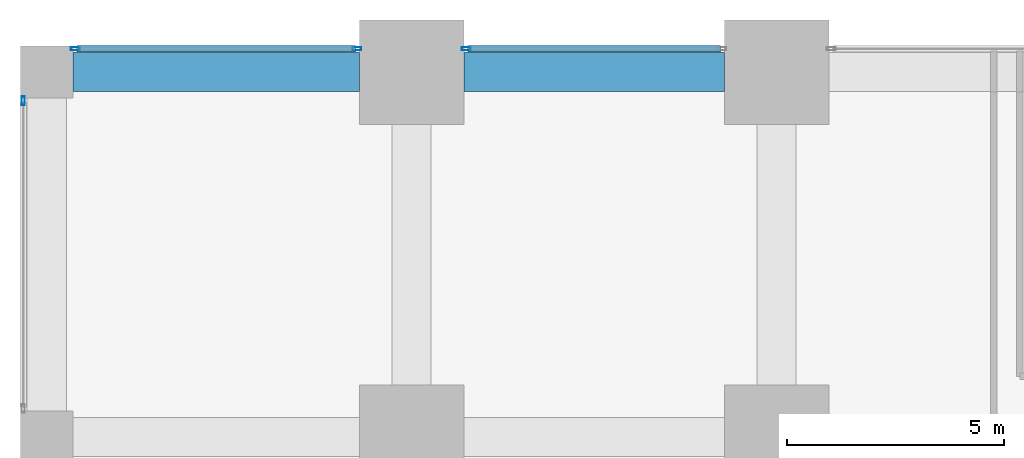
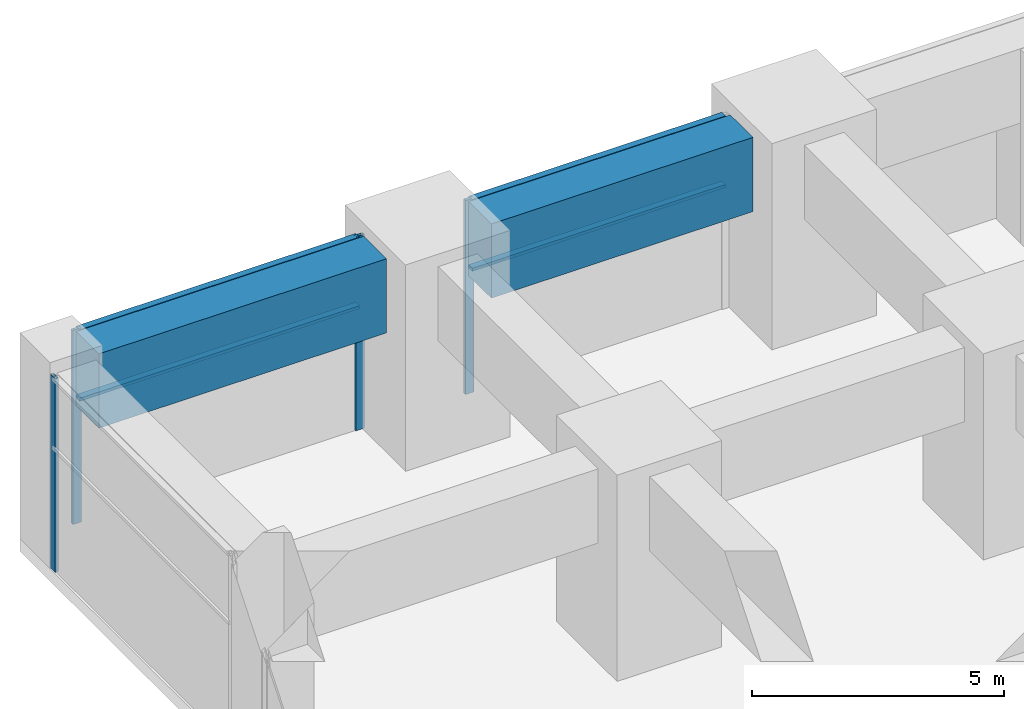
# One storey, part 23 of 49: 8 members, 2 beams, 3 elements without a shape of their own.
"""IFC4 building model written with IfcOpenShell, lengths in metres."""

from ifc_helpers import new_model, si_unit, direction, frame, origin, origin_2d, place, context, subcontext, project, spatial, rectangle, hollow_rectangle, extrude, material, material_profile, profile_set, type_object, element, aggregate, save


model = new_model("IFC4")

# Units and contexts
model_context = context("Model", 3, precision=1e-05, world=origin(), true_north=direction((0.0, 1.0)))
body_context = subcontext(model_context, "Body", "Model", "MODEL_VIEW")
ifc_project = project(units=[si_unit("LENGTHUNIT", "METRE"), si_unit("AREAUNIT", "SQUARE_METRE"), si_unit("VOLUMEUNIT", "CUBIC_METRE"), si_unit("PLANEANGLEUNIT", "RADIAN"), si_unit("MASSUNIT", "GRAM", prefix="KILO")], contexts=[model_context])

# Site, building, storey
site_placement = place(None, origin())
site = spatial("IfcSite", under=ifc_project, at=site_placement, CompositionType="ELEMENT")
building_placement = place(site_placement, origin())
building = spatial("IfcBuilding", under=site, at=building_placement, Name="Rekha Terrace Tower", CompositionType="ELEMENT")
storey_placement = place(building_placement, frame((0.0, 0.0, 10.39990234375)))
storey = spatial("IfcBuildingStorey", under=building, at=storey_placement, Name="L02", CompositionType="ELEMENT", Elevation=10.39990234375)

# Curtain wall, member
ifc_material_1 = material(Name="Aluminium framing", Category="aluminium")
curtain_wall_type = type_object("IfcCurtainWallType", Name="CW4 podium shopfront glazing", PredefinedType="USERDEFINED", material=ifc_material_1)
curtain_wall_1_placement = place(storey_placement, origin())
curtain_wall_1 = element("IfcCurtainWall", 1, at=curtain_wall_1_placement, inside=storey, type_object=curtain_wall_type, Name="CW4 shopfront curtain wall", ObjectType="SHOPFRONT CURTAIN WALL", PredefinedType="USERDEFINED")
ifc_material_2 = material(Name="Aluminium mullion section", Category="aluminium")
ifc_material_profile_1 = material_profile(ifc_material_2, hollow_rectangle(XDim=0.074951171875, YDim=0.199951171875, WallThickness=0.00390625, at=origin_2d()), Name="AL RHS 75x200")
ifc_profile_set_1 = profile_set([ifc_material_profile_1], Name="Aluminium mullion section")
member_type_1 = type_object("IfcMemberType", Name="CW4 mullion RHS 75 x 200", PredefinedType="MULLION", material=ifc_profile_set_1)
member_1_placement = place(storey_placement, frame((9.657470703125, 59.340087890625, 0.0), z_axis=(0.0, 0.0, 1.0), x_axis=(0.0, -1.0, 0.0)))
member_1 = element("IfcMember", 2, at=member_1_placement, type_object=member_type_1, Name="CW4 mullion 2", PredefinedType="MULLION", context=body_context, shape_type="SweptSolid", body=[
    extrude(hollow_rectangle(XDim=0.074951171875, YDim=0.199951171875, WallThickness=0.00390625, at=origin_2d()), origin(), (0.0, 0.0, 1.0), 4.7001953125),
])

# Curtain wall, members
curtain_wall_2_placement = place(storey_placement, origin())
curtain_wall_2 = element("IfcCurtainWall", 3, at=curtain_wall_2_placement, inside=storey, type_object=curtain_wall_type, Name="CW4 shopfront curtain wall", ObjectType="SHOPFRONT CURTAIN WALL", PredefinedType="USERDEFINED")
member_2_placement = place(storey_placement, frame((7.142578125, 59.340087890625, 0.0), z_axis=(0.0, 0.0, 1.0), x_axis=(0.0, -1.0, 0.0)))
member_2 = element("IfcMember", 4, at=member_2_placement, type_object=member_type_1, Name="CW4 mullion 1", PredefinedType="MULLION", context=body_context, shape_type="SweptSolid", body=[
    extrude(hollow_rectangle(XDim=0.074951171875, YDim=0.199951171875, WallThickness=0.00390625, at=origin_2d()), origin(), (0.0, 0.0, 1.0), 4.7001953125),
])
member_3_placement = place(storey_placement, frame((0.657470703125, 59.340087890625, 0.0), z_axis=(0.0, 0.0, 1.0), x_axis=(0.0, -1.0, 0.0)))
member_3 = element("IfcMember", 5, at=member_3_placement, type_object=member_type_1, Name="CW4 mullion 2", PredefinedType="MULLION", context=body_context, shape_type="SweptSolid", body=[
    extrude(hollow_rectangle(XDim=0.074951171875, YDim=0.199951171875, WallThickness=0.00390625, at=origin_2d()), origin(), (0.0, 0.0, 1.0), 4.7001953125),
])

# Curtain wall, member
curtain_wall_3_placement = place(storey_placement, origin())
curtain_wall_3 = element("IfcCurtainWall", 6, at=curtain_wall_3_placement, inside=storey, type_object=curtain_wall_type, Name="CW4 shopfront curtain wall", ObjectType="SHOPFRONT CURTAIN WALL", PredefinedType="USERDEFINED")
member_4_placement = place(storey_placement, frame((-0.5400390625, 58.142578125, 0.0), z_axis=(0.0, 0.0, 1.0), x_axis=(1.0, 0.0, 0.0)))
member_4 = element("IfcMember", 7, at=member_4_placement, type_object=member_type_1, Name="CW4 mullion 1", PredefinedType="MULLION", context=body_context, shape_type="SweptSolid", body=[
    extrude(hollow_rectangle(XDim=0.074951171875, YDim=0.199951171875, WallThickness=0.00390625, at=origin_2d()), origin(), (0.0, 0.0, 1.0), 4.7001953125),
])
aggregate(curtain_wall_3, [member_4])

# Member
ifc_material_3 = material(Name="Aluminium transom section", Category="aluminium")
ifc_material_profile_2 = material_profile(ifc_material_3, hollow_rectangle(XDim=0.14990234375, YDim=0.074951171875, WallThickness=0.0029296875, at=origin_2d()), Name="AL RHS 150x75")
ifc_profile_set_2 = profile_set([ifc_material_profile_2], Name="Aluminium transom section")
member_type_2 = type_object("IfcMemberType", Name="CW4 transom RHS 75 x 150", PredefinedType="USERDEFINED", material=ifc_profile_set_2)
member_5_placement = place(storey_placement, frame((15.5048828125, 59.340087890625, 3.0), z_axis=(-1.0, 0.0, 0.0), x_axis=(0.0, -1.0, 0.0)))
member_5 = element("IfcMember", 8, at=member_5_placement, type_object=member_type_2, Name="CW4 transom 1.2", ObjectType="TRANSOM", PredefinedType="USERDEFINED", context=body_context, shape_type="SweptSolid", body=[
    extrude(hollow_rectangle(XDim=0.14990234375, YDim=0.074951171875, WallThickness=0.0029296875, at=origin_2d()), origin(), (0.0, 0.0, 1.0), 5.809814453125),
])

member_6_placement = place(storey_placement, frame((15.5048828125, 59.340087890625, 4.66259765625), z_axis=(-1.0, 0.0, 0.0), x_axis=(0.0, -1.0, 0.0)))
member_6 = element("IfcMember", 9, at=member_6_placement, type_object=member_type_2, Name="CW4 transom 1.3", ObjectType="TRANSOM", PredefinedType="USERDEFINED", context=body_context, shape_type="SweptSolid", body=[
    extrude(hollow_rectangle(XDim=0.14990234375, YDim=0.074951171875, WallThickness=0.0029296875, at=origin_2d()), origin(), (0.0, 0.0, 1.0), 5.809814453125),
])

aggregate(curtain_wall_1, [member_1, member_5, member_6])

member_7_placement = place(storey_placement, frame((7.10498046875, 59.340087890625, 3.0), z_axis=(-1.0, 0.0, 0.0), x_axis=(0.0, -1.0, 0.0)))
member_7 = element("IfcMember", 10, at=member_7_placement, type_object=member_type_2, Name="CW4 transom 1.2", ObjectType="TRANSOM", PredefinedType="USERDEFINED", context=body_context, shape_type="SweptSolid", body=[
    extrude(hollow_rectangle(XDim=0.14990234375, YDim=0.074951171875, WallThickness=0.0029296875, at=origin_2d()), origin(), (0.0, 0.0, 1.0), 6.409912109375),
])

member_8_placement = place(storey_placement, frame((7.10498046875, 59.340087890625, 4.66259765625), z_axis=(-1.0, 0.0, 0.0), x_axis=(0.0, -1.0, 0.0)))
member_8 = element("IfcMember", 11, at=member_8_placement, type_object=member_type_2, Name="CW4 transom 1.3", ObjectType="TRANSOM", PredefinedType="USERDEFINED", context=body_context, shape_type="SweptSolid", body=[
    extrude(hollow_rectangle(XDim=0.14990234375, YDim=0.074951171875, WallThickness=0.0029296875, at=origin_2d()), origin(), (0.0, 0.0, 1.0), 6.409912109375),
])

aggregate(curtain_wall_2, [member_2, member_3, member_7, member_8])

# Beams
ifc_material_4 = material(Name="Concrete M60", Category="concrete")
ifc_material_profile_3 = material_profile(ifc_material_4, rectangle(XDim=0.89990234375, YDim=1.800048828125, at=origin_2d()), Name="RC 900x1800")
ifc_profile_set_3 = profile_set([ifc_material_profile_3], Name="Concrete M60")
beam_type = type_object("IfcBeamType", Name="G1 900x1800 podium floor beam", PredefinedType="BEAM", material=ifc_profile_set_3)
beam_1_placement = place(storey_placement, frame((0.60009765625, 58.800048828125, 3.800048828125), z_axis=(1.0, 0.0, 0.0), x_axis=(0.0, 1.0, 0.0)))
element("IfcBeam", 12, at=beam_1_placement, inside=storey, type_object=beam_type, Name="Beam G1 1H-2H under L03", PredefinedType="BEAM", context=body_context, shape_type="SweptSolid", body=[
    extrude(rectangle(XDim=0.89990234375, YDim=1.800048828125, at=origin_2d()), origin(), (0.0, 0.0, 1.0), 6.599853515625),
])
beam_2_placement = place(storey_placement, frame((9.60009765625, 58.800048828125, 3.800048828125), z_axis=(1.0, 0.0, 0.0), x_axis=(0.0, 1.0, 0.0)))
element("IfcBeam", 13, at=beam_2_placement, inside=storey, type_object=beam_type, Name="Beam G1 2H-3H under L03", PredefinedType="BEAM", context=body_context, shape_type="SweptSolid", body=[
    extrude(rectangle(XDim=0.89990234375, YDim=1.800048828125, at=origin_2d()), origin(), (0.0, 0.0, 1.0), 6.0),
])

save(model, "model.ifc")
